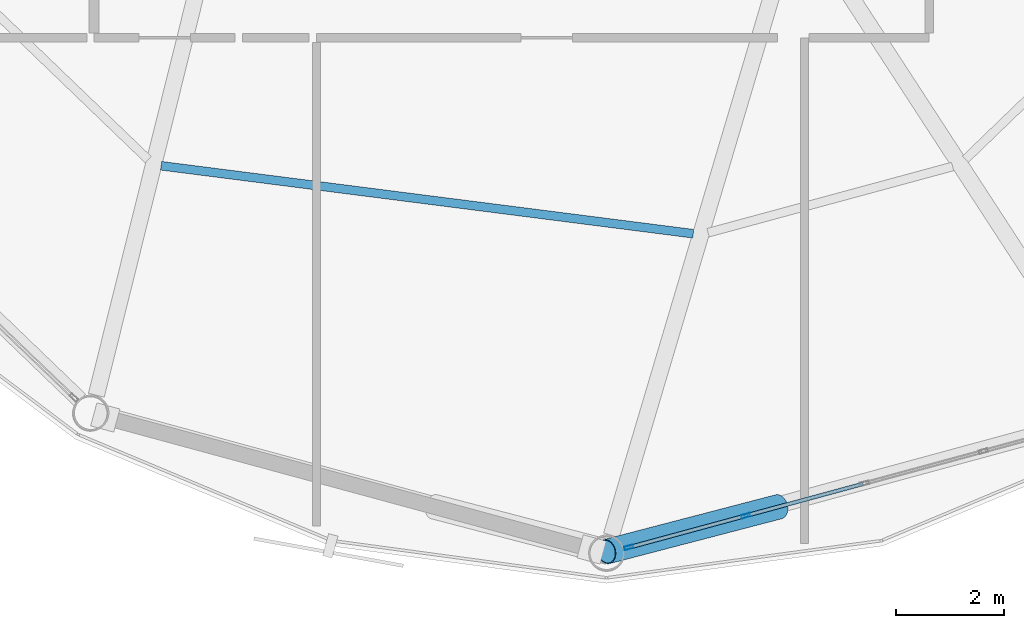
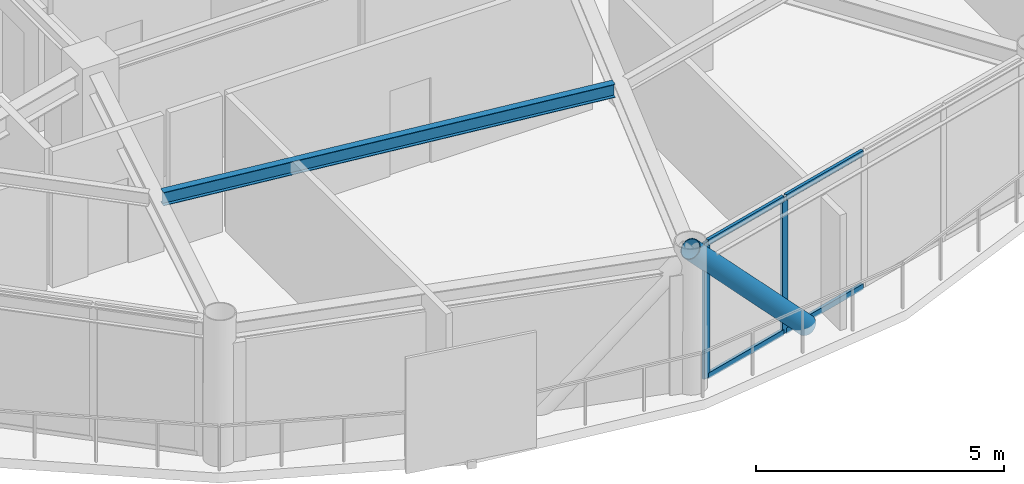
# One storey, part 7 of 28: 7 members, 1 beam, 1 element without a shape of its own.
"""IFC4 building model written with IfcOpenShell, lengths in metres."""

import ifcopenshell
import ifcopenshell.guid

model = None  # the IFC model being written
_history = None  # IfcOwnerHistory: only IFC2X3 demands one
_inside = {}  # id of a spatial element -> (the spatial element, [elements in it])
_under = {}  # id of a project, library or spatial element -> (it, [spatial elements below it])
_declared = {}  # id of a project -> (the project, [libraries it declares])
_typed = {}  # id of a type object -> (the type object, [elements of that type])
_made_of = {}  # id of a material, layer set ... -> (it, [elements and type objects made of it])


def new_model(schema):
    """Start an empty IFC model of exactly this schema.

    Asked for "IFC4X3", IfcOpenShell would pick the latest addendum, in which some entities
    have other attributes; the version numbers below select the first issue.
    IFC2X3 requires an IfcOwnerHistory on every rooted entity: one is made here for all.
    """
    global model, _history
    if schema == "IFC4X3":
        model = ifcopenshell.file(schema_version=(4, 3, 0, 0))
    else:
        model = ifcopenshell.file(schema=schema)
    _inside.clear()
    _under.clear()
    _declared.clear()
    _typed.clear()
    _made_of.clear()
    _history = None
    if model.schema == "IFC2X3":
        org = make("IfcOrganization", Name="unknown")
        user = make(
            "IfcPersonAndOrganization",
            ThePerson=make("IfcPerson", FamilyName="unknown"),
            TheOrganization=org,
        )
        app = make(
            "IfcApplication",
            ApplicationDeveloper=org,
            Version="unknown",
            ApplicationFullName="unknown",
            ApplicationIdentifier="unknown",
        )
        _history = make(
            "IfcOwnerHistory",
            OwningUser=user,
            OwningApplication=app,
            ChangeAction="ADDED",
            CreationDate=0,
        )
    return model


def make(cls, **values):
    """One entity of the class cls with the attributes given. An attribute that is None is left unset."""
    return model.create_entity(
        cls, **{name: value for name, value in values.items() if value is not None}
    )


def rooted(cls, **values):
    """An entity with a GlobalId (a new one), such as an element, a storey or a relation."""
    return make(cls, GlobalId=ifcopenshell.guid.new(), OwnerHistory=_history, **values)


def si_unit(unit_type, name, prefix=None):
    """IfcSIUnit, for example si_unit("LENGTHUNIT", "METRE", prefix="MILLI")."""
    return make("IfcSIUnit", UnitType=unit_type, Prefix=prefix, Name=name)


def assignment(units):
    """IfcUnitAssignment: the units of a project."""
    return None if units is None else make("IfcUnitAssignment", Units=units)


def point(xyz):
    """IfcCartesianPoint."""
    return None if xyz is None else make("IfcCartesianPoint", Coordinates=xyz)


def direction(xyz):
    """IfcDirection."""
    return None if xyz is None else make("IfcDirection", DirectionRatios=xyz)


def frame(location, z_axis=None, x_axis=None):
    """IfcAxis2Placement3D, a coordinate frame: its origin and axes. An axis left out is left unset."""
    return make(
        "IfcAxis2Placement3D",
        Location=point(location),
        Axis=direction(z_axis),
        RefDirection=direction(x_axis),
    )


def frame_2d(location, x_axis=None):
    """IfcAxis2Placement2D, a coordinate frame in the plane: its origin and x axis."""
    return make(
        "IfcAxis2Placement2D", Location=point(location), RefDirection=direction(x_axis)
    )


def origin():
    """The frame at (0, 0, 0) with its axes left unset."""
    return frame((0.0, 0.0, 0.0))


def origin_2d():
    """The frame at (0, 0) in the plane with its x axis left unset."""
    return frame_2d((0.0, 0.0))


def place(relative_to, where):
    """IfcLocalPlacement: puts the frame where relative to a parent placement (None: the world)."""
    return make(
        "IfcLocalPlacement", PlacementRelTo=relative_to, RelativePlacement=where
    )


def context(
    kind, dimensions, precision=None, world=None, true_north=None, identifier=None
):
    """IfcGeometricRepresentationContext, for example the 3D "Model" context."""
    return make(
        "IfcGeometricRepresentationContext",
        ContextIdentifier=identifier,
        ContextType=kind,
        CoordinateSpaceDimension=dimensions,
        Precision=precision,
        WorldCoordinateSystem=world,
        TrueNorth=true_north,
    )


def subcontext(parent, identifier, kind, view, scale=None):
    """IfcGeometricRepresentationSubContext, for example "Body" below "Model"."""
    return make(
        "IfcGeometricRepresentationSubContext",
        ContextIdentifier=identifier,
        ContextType=kind,
        ParentContext=parent,
        TargetScale=scale,
        TargetView=view,
    )


def project(units=None, contexts=None):
    """IfcProject with its units and contexts."""
    return rooted(
        "IfcProject",
        Name="project",
        RepresentationContexts=contexts,
        UnitsInContext=assignment(units),
    )


def spatial(cls, under=None, at=None, **own):
    """A site, building, storey or space (cls), placed at a placement, below another one or the project."""
    s = rooted(cls, ObjectPlacement=at, **own)
    if under is not None:
        _under.setdefault(under.id(), (under, []))[1].append(s)
    return s


def profile(cls, at=None, kind="AREA", **sizes):
    """A parametric profile (cls). Its sizes go by their IFC names, for example OverallWidth=200.0."""
    return make(cls, ProfileType=kind, Position=at, **sizes)


def hollow_rectangle(**sizes):
    """IfcRectangleHollowProfileDef."""
    return profile("IfcRectangleHollowProfileDef", **sizes)


def hollow_circle(**sizes):
    """IfcCircleHollowProfileDef."""
    return profile("IfcCircleHollowProfileDef", **sizes)


def i_section(**sizes):
    """IfcIShapeProfileDef."""
    return profile("IfcIShapeProfileDef", **sizes)


def extrude(swept, where, along, depth):
    """IfcExtrudedAreaSolid: the profile swept, set in the frame where, extruded along a direction by depth."""
    return make(
        "IfcExtrudedAreaSolid",
        SweptArea=swept,
        Position=where,
        ExtrudedDirection=direction(along),
        Depth=depth,
    )


def shape(context_of_items, identifier, shape_type, items):
    """IfcShapeRepresentation: the items that make up one representation, for example the "Body"."""
    return make(
        "IfcShapeRepresentation",
        ContextOfItems=context_of_items,
        RepresentationIdentifier=identifier,
        RepresentationType=shape_type,
        Items=items,
    )


def material(Name=None, Category=None):
    """IfcMaterial."""
    return make("IfcMaterial", Name=Name, Category=Category)


def layer(
    of_material, thickness, ventilated=None, Name=None, Category=None, Priority=None
):
    """IfcMaterialLayer: one layer of a wall or slab, of a material (None: an air gap)."""
    return make(
        "IfcMaterialLayer",
        Material=of_material,
        LayerThickness=thickness,
        IsVentilated=ventilated,
        Name=Name,
        Category=Category,
        Priority=Priority,
    )


def layer_set(layers, Name=None):
    """IfcMaterialLayerSet."""
    return make("IfcMaterialLayerSet", MaterialLayers=layers, LayerSetName=Name)


def material_profile(
    of_material, cross_section, Name=None, Category=None, Priority=None
):
    """IfcMaterialProfile: a cross section and its material."""
    return make(
        "IfcMaterialProfile",
        Name=Name,
        Material=of_material,
        Profile=cross_section,
        Priority=Priority,
        Category=Category,
    )


def profile_set(profiles, Name=None, composite=None):
    """IfcMaterialProfileSet."""
    return make(
        "IfcMaterialProfileSet",
        Name=Name,
        MaterialProfiles=profiles,
        CompositeProfile=composite,
    )


def made_of(thing, what):
    """Note that an element or type object is made of a material, layer set ...; save() writes the relation."""
    if what is not None:
        _made_of.setdefault(what.id(), (what, []))[1].append(thing)
    return thing


def type_object(cls, material=None, **own):
    """A type object (cls), such as IfcWallType, which elements share."""
    return made_of(rooted(cls, **own), material)


def element(
    cls,
    number,
    at=None,
    inside=None,
    cuts=None,
    type_object=None,
    material=None,
    context=None,
    identifier="Body",
    shape_type=None,
    held_by="IfcProductDefinitionShape",
    body=None,
    shapes=None,
    **own,
):
    """One element of the class cls, such as IfcWall. Its Tag is "e" and its number.

    at: its placement. inside: the storey or other place that contains it. cuts: it is an
    opening in that element (IfcRelVoidsElement). A single representation is given by context,
    identifier, shape_type and body (its items); several are given by shapes. held_by: the class
    of the entity that holds the representations. save() writes the other relations.
    """
    e = rooted(cls, Tag="e%d" % number, ObjectPlacement=at, **own)
    if body is not None:
        shapes = [shape(context, identifier, shape_type, body)]
    if shapes is not None:
        e.Representation = make(held_by, Representations=shapes)
    if inside is not None:
        _inside.setdefault(inside.id(), (inside, []))[1].append(e)
    if cuts is not None:
        rooted(
            "IfcRelVoidsElement", RelatingBuildingElement=cuts, RelatedOpeningElement=e
        )
    if type_object is not None:
        _typed.setdefault(type_object.id(), (type_object, []))[1].append(e)
    return made_of(e, material)


def aggregate(whole, parts):
    """IfcRelAggregates: a whole, such as a stair, and the parts it consists of."""
    return rooted("IfcRelAggregates", RelatingObject=whole, RelatedObjects=parts)


def save(model, path):
    """Write the relations noted so far, then the file.

    IfcRelAggregates (storeys below a building ...), IfcRelContainedInSpatialStructure (elements
    in a storey), IfcRelDefinesByType, IfcRelAssociatesMaterial and IfcRelDeclares: one each for
    every whole, place, type object, material and project.
    """
    for whole, parts in _under.values():
        aggregate(whole, parts)
    for where, things in _inside.values():
        rooted(
            "IfcRelContainedInSpatialStructure",
            RelatedElements=things,
            RelatingStructure=where,
        )
    for kind, things in _typed.values():
        rooted("IfcRelDefinesByType", RelatedObjects=things, RelatingType=kind)
    for what, things in _made_of.values():
        rooted("IfcRelAssociatesMaterial", RelatedObjects=things, RelatingMaterial=what)
    for by, libraries in _declared.values():
        rooted("IfcRelDeclares", RelatingContext=by, RelatedDefinitions=libraries)
    model.write(path)


model = new_model("IFC4")

# Units and contexts
model_context = context("Model", 3, precision=1e-05, world=origin(), true_north=direction((0.0, 1.0)))
body_context = subcontext(model_context, "Body", "Model", "MODEL_VIEW")
ifc_project = project(units=[si_unit("LENGTHUNIT", "METRE"), si_unit("AREAUNIT", "SQUARE_METRE"), si_unit("VOLUMEUNIT", "CUBIC_METRE"), si_unit("PLANEANGLEUNIT", "RADIAN"), si_unit("MASSUNIT", "GRAM", prefix="KILO")], contexts=[model_context])

# Site, building, storey
site_placement = place(None, origin())
site = spatial("IfcSite", under=ifc_project, at=site_placement, CompositionType="ELEMENT")
building_placement = place(site_placement, origin())
building = spatial("IfcBuilding", under=site, at=building_placement, Name="Varnakorn Sky Granary", CompositionType="ELEMENT")
storey_placement = place(building_placement, frame((0.0, 0.0, 211.199951171875)))
storey = spatial("IfcBuildingStorey", under=building, at=storey_placement, Name="L53", CompositionType="ELEMENT", Elevation=211.199951171875)

# Beam
ifc_material_1 = material(Name="Steel S355JR", Category="steel")
ifc_material_profile_1 = material_profile(ifc_material_1, i_section(OverallWidth=0.159912109375, OverallDepth=0.330078125, WebThickness=0.007568359375, FlangeThickness=0.011474609375, at=origin_2d()), Name="IPE 330")
ifc_profile_set_1 = profile_set([ifc_material_profile_1], Name="Steel S355JR")
beam_type = type_object("IfcBeamType", Name="BM-SEC-Z4", PredefinedType="BEAM", material=ifc_profile_set_1)
beam_placement = place(storey_placement, frame((-3.364501953125, -11.260498046875, 3.195068359375), z_axis=(0.99194054279, -0.126704220802, 0.0), x_axis=(0.126704220802, 0.99194054279, 0.0)))
element("IfcBeam", 1, at=beam_placement, inside=storey, type_object=beam_type, Name="Secondary Floor Chord Beam MSB09 L53", PredefinedType="BEAM", context=body_context, shape_type="SweptSolid", body=[
    extrude(i_section(OverallWidth=0.159912109375, OverallDepth=0.330078125, WebThickness=0.007568359375, FlangeThickness=0.011474609375, at=origin_2d()), origin(), (0.0, 0.0, 1.0), 9.892578125),
])

# Curtain wall, members
ifc_material_2 = material(Name="Anodised Bronze Aluminium Alloy 6063-T6", Category="aluminium")
ifc_layer = layer(ifc_material_2, 0.169921875, Name="Anodised Bronze Aluminium Alloy 6063-T6")
ifc_layer_set = layer_set([ifc_layer], Name="Anodised Bronze Aluminium Alloy 6063-T6")
curtain_wall_type = type_object("IfcCurtainWallType", Name="CW-LAB-1", PredefinedType="USERDEFINED", material=ifc_layer_set)
curtain_wall_placement = place(storey_placement, origin())
curtain_wall = element("IfcCurtainWall", 2, at=curtain_wall_placement, inside=storey, type_object=curtain_wall_type, Name="Unitised Curtain Wall CW5 CW-L53-B10", ObjectType="CURTAIN WALL", PredefinedType="USERDEFINED")
ifc_material_profile_2 = material_profile(ifc_material_2, hollow_rectangle(XDim=0.06494140625, YDim=0.159912109375, WallThickness=0.00341796875, at=origin_2d()), Name="ALU MULL 65x160")
ifc_profile_set_2 = profile_set([ifc_material_profile_2], Name="Anodised Bronze Aluminium Alloy 6063-T6")
member_type_1 = type_object("IfcMemberType", Name="CW-LAB-1-MULL", PredefinedType="MULLION", material=ifc_profile_set_2)
member_1_placement = place(storey_placement, frame((7.41796875, -17.714111328125, 0.0), z_axis=(0.0, 0.0, 1.0), x_axis=(0.261920163163, -0.965089544099, 0.0)))
member_1 = element("IfcMember", 3, at=member_1_placement, type_object=member_type_1, Name="CW5 mullion 4", PredefinedType="MULLION", context=body_context, shape_type="SweptSolid", body=[
    extrude(hollow_rectangle(XDim=0.06494140625, YDim=0.159912109375, WallThickness=0.00341796875, at=origin_2d()), origin(), (0.0, 0.0, 1.0), 3.360107421875),
])
member_2_placement = place(storey_placement, frame((5.2578125, -18.30029296875, 0.0), z_axis=(0.0, 0.0, 1.0), x_axis=(0.261920163163, -0.965089544099, 0.0)))
member_2 = element("IfcMember", 4, at=member_2_placement, type_object=member_type_1, Name="CW5 mullion 5", PredefinedType="MULLION", context=body_context, shape_type="SweptSolid", body=[
    extrude(hollow_rectangle(XDim=0.06494140625, YDim=0.159912109375, WallThickness=0.00341796875, at=origin_2d()), origin(), (0.0, 0.0, 1.0), 3.360107421875),
])
ifc_material_profile_3 = material_profile(ifc_material_2, hollow_rectangle(XDim=0.070068359375, YDim=0.139892578125, WallThickness=0.00341796875, at=origin_2d()), Name="ALU TRAN 70x140")
ifc_profile_set_3 = profile_set([ifc_material_profile_3], Name="Anodised Bronze Aluminium Alloy 6063-T6")
member_type_2 = type_object("IfcMemberType", Name="CW-LAB-1-TRAN", PredefinedType="USERDEFINED", material=ifc_profile_set_3)
member_3_placement = place(storey_placement, frame((9.578125, -17.127685546875, 0.03515625), z_axis=(-0.965077277508, -0.261965357324, 0.0), x_axis=(0.261965357324, -0.965077277508, 0.0)))
member_3 = element("IfcMember", 5, at=member_3_placement, type_object=member_type_2, Name="CW5 transom 3.1", ObjectType="TRANSOM", PredefinedType="USERDEFINED", context=body_context, shape_type="SweptSolid", body=[
    extrude(hollow_rectangle(XDim=0.070068359375, YDim=0.139892578125, WallThickness=0.00341796875, at=origin_2d()), origin(), (0.0, 0.0, 1.0), 2.2060546875),
])
member_4_placement = place(storey_placement, frame((9.578125, -17.127685546875, 3.324951171875), z_axis=(-0.965077277508, -0.261965357324, 0.0), x_axis=(0.261965357324, -0.965077277508, 0.0)))
member_4 = element("IfcMember", 6, at=member_4_placement, type_object=member_type_2, Name="CW5 transom 3.2", ObjectType="TRANSOM", PredefinedType="USERDEFINED", context=body_context, shape_type="SweptSolid", body=[
    extrude(hollow_rectangle(XDim=0.070068359375, YDim=0.139892578125, WallThickness=0.00341796875, at=origin_2d()), origin(), (0.0, 0.0, 1.0), 2.2060546875),
])
member_5_placement = place(storey_placement, frame((7.386474609375, -17.72265625, 0.03515625), z_axis=(-0.96510520748, -0.261862441932, 0.0), x_axis=(0.261862441932, -0.96510520748, 0.0)))
member_5 = element("IfcMember", 7, at=member_5_placement, type_object=member_type_2, Name="CW5 transom 4.1", ObjectType="TRANSOM", PredefinedType="USERDEFINED", context=body_context, shape_type="SweptSolid", body=[
    extrude(hollow_rectangle(XDim=0.070068359375, YDim=0.139892578125, WallThickness=0.00341796875, at=origin_2d()), origin(), (0.0, 0.0, 1.0), 2.17333984375),
])
member_6_placement = place(storey_placement, frame((7.386474609375, -17.72265625, 3.324951171875), z_axis=(-0.96510520748, -0.261862441932, 0.0), x_axis=(0.261862441932, -0.96510520748, 0.0)))
member_6 = element("IfcMember", 8, at=member_6_placement, type_object=member_type_2, Name="CW5 transom 4.2", ObjectType="TRANSOM", PredefinedType="USERDEFINED", context=body_context, shape_type="SweptSolid", body=[
    extrude(hollow_rectangle(XDim=0.070068359375, YDim=0.139892578125, WallThickness=0.00341796875, at=origin_2d()), origin(), (0.0, 0.0, 1.0), 2.17333984375),
])
aggregate(curtain_wall, [member_1, member_2, member_3, member_4, member_5, member_6])

# Member
ifc_material_3 = material(Name="Steel S460M", Category="steel")
ifc_material_profile_4 = material_profile(ifc_material_3, hollow_circle(Radius=0.228515625, WallThickness=0.01611328125, at=origin_2d()), Name="CHS 457x16")
ifc_profile_set_4 = profile_set([ifc_material_profile_4], Name="Steel S460M")
member_type_3 = type_object("IfcMemberType", Name="MB-DIAG-T3", PredefinedType="BRACE", material=ifc_profile_set_4)
member_7_placement = place(storey_placement, frame((8.02294921875, -17.5498046875, -0.1298828125), z_axis=(-0.662577106574, -0.172730935447, 0.728804227337), x_axis=(0.25226427969, -0.967658376284, 0.0)))
element("IfcMember", 9, at=member_7_placement, inside=storey, type_object=member_type_3, Name="Perimeter CHS Diagrid Brace DG10 L53", PredefinedType="BRACE", context=body_context, shape_type="SweptSolid", body=[
    extrude(hollow_circle(Radius=0.228515625, WallThickness=0.01611328125, at=origin_2d()), origin(), (0.0, 0.0, 1.0), 4.78857421875),
])

save(model, "model.ifc")
